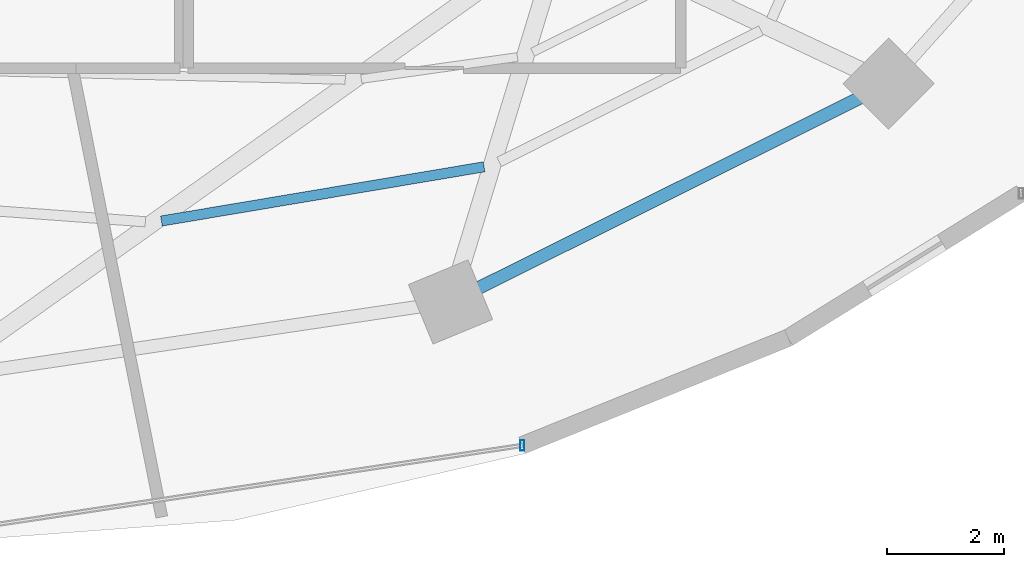
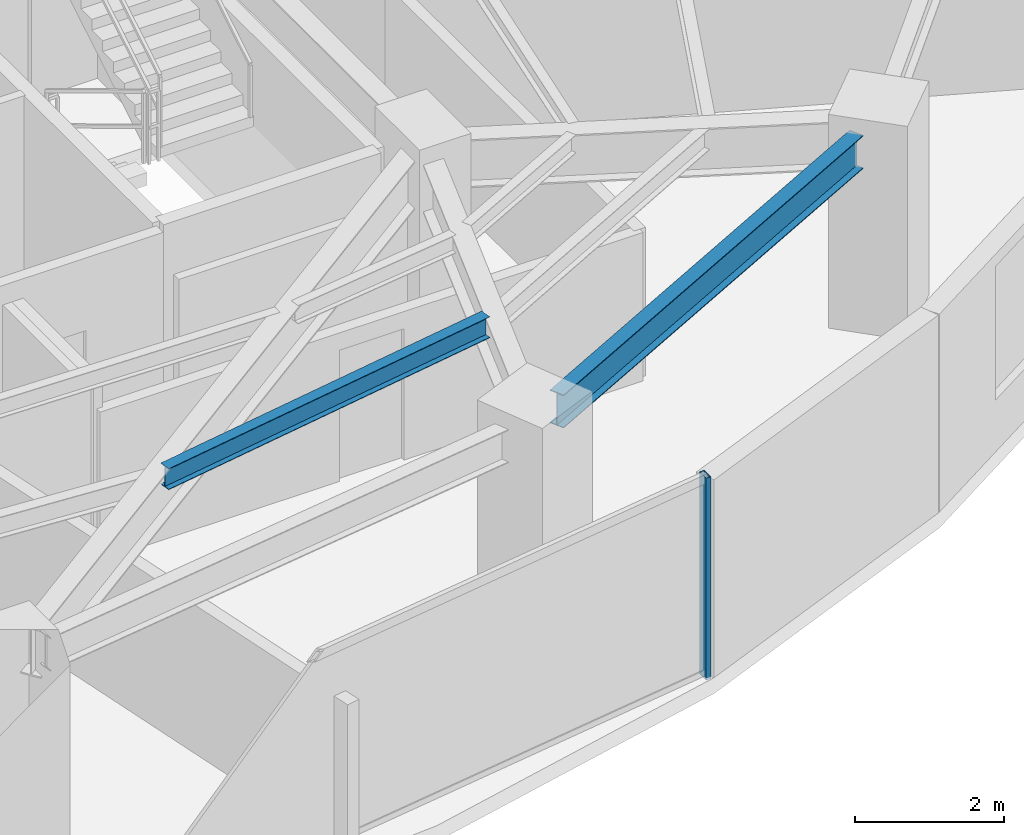
# One storey, part 11 of 30: 2 beams, 1 member, 1 element without a shape of its own.
"""IFC4 building model written with IfcOpenShell, lengths in metres."""

from ifc_helpers import new_model, si_unit, direction, frame, origin, origin_2d, place, context, subcontext, project, spatial, hollow_rectangle, i_section, extrude, material, material_profile, profile_set, type_object, element, aggregate, save


model = new_model("IFC4")

# Units and contexts
model_context = context("Model", 3, precision=1e-05, world=origin(), true_north=direction((0.0, 1.0)))
body_context = subcontext(model_context, "Body", "Model", "MODEL_VIEW")
ifc_project = project(units=[si_unit("LENGTHUNIT", "METRE"), si_unit("AREAUNIT", "SQUARE_METRE"), si_unit("VOLUMEUNIT", "CUBIC_METRE"), si_unit("PLANEANGLEUNIT", "RADIAN"), si_unit("MASSUNIT", "GRAM", prefix="KILO")], contexts=[model_context])

# Site, building, storey
site_placement = place(None, origin())
site = spatial("IfcSite", under=ifc_project, at=site_placement, CompositionType="ELEMENT")
building_placement = place(site_placement, origin())
building = spatial("IfcBuilding", under=site, at=building_placement, Name="Vorneva Point Tower", CompositionType="ELEMENT")
storey_placement = place(building_placement, frame((0.0, 0.0, 78.800048828125)))
storey = spatial("IfcBuildingStorey", under=building, at=storey_placement, Name="L20", CompositionType="ELEMENT", Elevation=78.800048828125)

# Beams
ifc_material_1 = material(Name="Steel S355", Category="steel")
ifc_material_profile_1 = material_profile(ifc_material_1, i_section(OverallWidth=0.174072265625, OverallDepth=0.345947265625, WebThickness=0.006103515625, FlangeThickness=0.009033203125, at=origin_2d()), Name="35B1")
ifc_profile_set_1 = profile_set([ifc_material_profile_1], Name="Steel S355")
beam_type_1 = type_object("IfcBeamType", Name="BM-SEC-35B1", PredefinedType="BEAM", material=ifc_profile_set_1)
beam_1_placement = place(storey_placement, frame((41.8857421875, 11.4912109375, 3.06689453125), z_axis=(0.986181637233, 0.165667674532, 0.0), x_axis=(-0.165667674532, 0.986181637233, 0.0)))
element("IfcBeam", 1, at=beam_1_placement, inside=storey, type_object=beam_type_1, Name="L20 Secondary Floor Beam 1.13", PredefinedType="BEAM", context=body_context, shape_type="SweptSolid", body=[
    extrude(i_section(OverallWidth=0.174072265625, OverallDepth=0.345947265625, WebThickness=0.006103515625, FlangeThickness=0.009033203125, at=origin_2d()), origin(), (0.0, 0.0, 1.0), 5.585205078125),
])
ifc_material_profile_2 = material_profile(ifc_material_1, i_section(OverallWidth=0.219970703125, OverallDepth=0.54296875, WebThickness=0.009521484375, FlangeThickness=0.013427734375, at=origin_2d()), Name="55B1")
ifc_profile_set_2 = profile_set([ifc_material_profile_2], Name="Steel S355")
beam_type_2 = type_object("IfcBeamType", Name="BM-SPN-55B1", PredefinedType="SPANDREL", material=ifc_profile_set_2)
beam_2_placement = place(storey_placement, frame((47.2998046875, 10.347900390625, 2.968505859375), z_axis=(0.894915882304, 0.446234874926, 0.0), x_axis=(-0.446234874926, 0.894915882304, 0.0)))
element("IfcBeam", 2, at=beam_2_placement, inside=storey, type_object=beam_type_2, Name="L20 Perimeter Spandrel Ring Beam 14", PredefinedType="SPANDREL", context=body_context, shape_type="SweptSolid", body=[
    extrude(i_section(OverallWidth=0.219970703125, OverallDepth=0.54296875, WebThickness=0.009521484375, FlangeThickness=0.013427734375, at=origin_2d()), origin(), (0.0, 0.0, 1.0), 7.285888671875),
])

# Curtain wall, member
ifc_material_2 = material(Name="Pale anodised aluminium", Category="aluminium")
curtain_wall_type = type_object("IfcCurtainWallType", Name="CW-HTL-SYS", PredefinedType="NOTDEFINED", material=ifc_material_2)
curtain_wall_placement = place(storey_placement, origin())
curtain_wall = element("IfcCurtainWall", 3, at=curtain_wall_placement, inside=storey, type_object=curtain_wall_type, Name="L20 Unitised Curtain Wall CW-L20-R03", PredefinedType="NOTDEFINED")
ifc_material_profile_3 = material_profile(ifc_material_2, hollow_rectangle(XDim=0.074951171875, YDim=0.179931640625, WallThickness=0.00390625, at=origin_2d()), Name="AL-MUL 180x75x4")
ifc_profile_set_3 = profile_set([ifc_material_profile_3], Name="Pale anodised aluminium")
member_type = type_object("IfcMemberType", Name="CW-MUL-180", PredefinedType="MULLION", material=ifc_profile_set_3)
member_placement = place(storey_placement, frame((48.04541015625, 7.660888671875, -0.0400390625), z_axis=(0.0, 0.0, 1.0), x_axis=(1.0, 0.0, 0.0)))
member = element("IfcMember", 4, at=member_placement, type_object=member_type, Name="CW-L20-R03 Mullion 03", PredefinedType="MULLION", context=body_context, shape_type="SweptSolid", body=[
    extrude(hollow_rectangle(XDim=0.074951171875, YDim=0.179931640625, WallThickness=0.00390625, at=origin_2d()), origin(), (0.0, 0.0, 1.0), 3.31005859375),
])
aggregate(curtain_wall, [member])

save(model, "model.ifc")
